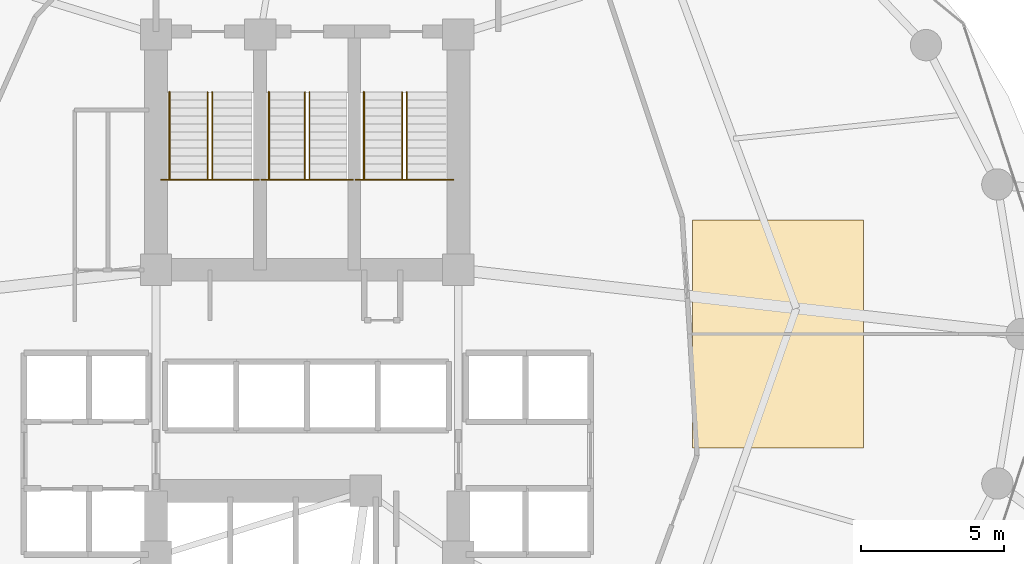
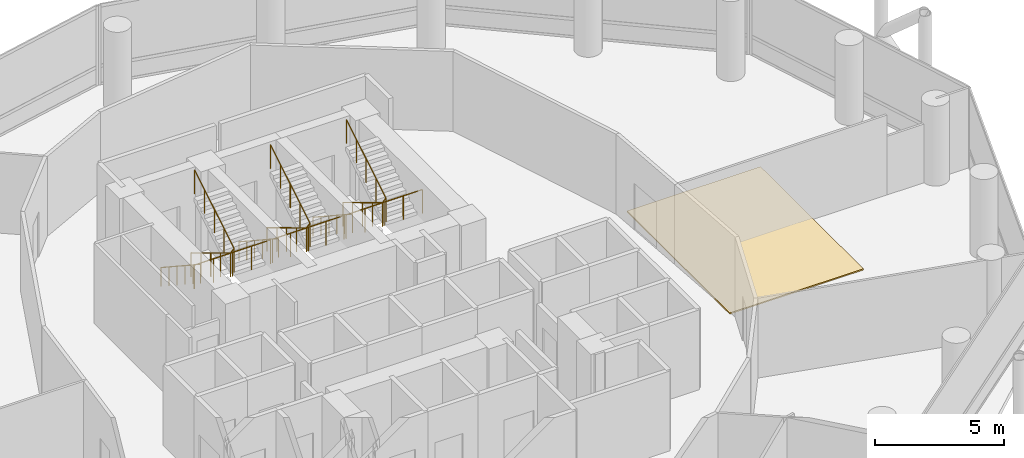
# One storey, part 24 of 24: 9 railings, 1 covering.
"""IFC4 building model written with IfcOpenShell, lengths in metres."""

from ifc_helpers import new_model, si_unit, direction, frame, origin, place, context, subcontext, project, spatial, polyline, outline, extrude, material, layer, layer_set, type_object, element, save


model = new_model("IFC4")

# Units and contexts
model_context = context("Model", 3, precision=1e-05, world=origin(), true_north=direction((0.0, 1.0)))
body_context = subcontext(model_context, "Body", "Model", "MODEL_VIEW")
ifc_project = project(units=[si_unit("LENGTHUNIT", "METRE"), si_unit("AREAUNIT", "SQUARE_METRE"), si_unit("VOLUMEUNIT", "CUBIC_METRE"), si_unit("PLANEANGLEUNIT", "RADIAN"), si_unit("MASSUNIT", "GRAM", prefix="KILO")], contexts=[model_context])

# Site, building, storey
site_placement = place(None, origin())
site = spatial("IfcSite", under=ifc_project, at=site_placement, CompositionType="ELEMENT")
building_placement = place(site_placement, origin())
building = spatial("IfcBuilding", under=site, at=building_placement, Name="Nuhasar Tower", CompositionType="ELEMENT")
storey_placement = place(building_placement, frame((0.0, 0.0, 37.199951171875)))
storey = spatial("IfcBuildingStorey", under=building, at=storey_placement, Name="L08", CompositionType="ELEMENT", Elevation=37.199951171875)

# Covering
ifc_material_1 = material(Name="Calcium Sulphate Tile", Category="gypsum")
ifc_layer = layer(ifc_material_1, 0.06005859375)
ifc_layer_set = layer_set([ifc_layer], Name="Calcium Sulphate Tile")
covering_type = type_object("IfcCoveringType", Name="COV-FLR-RAF120", PredefinedType="FLOORING", material=ifc_layer_set)
covering_placement = place(storey_placement, origin())
element("IfcCovering", 1, at=covering_placement, inside=storey, type_object=covering_type, Name="L08 Raised Access Floor Zone", PredefinedType="FLOORING", context=body_context, shape_type="SweptSolid", body=[
    extrude(outline(polyline([(52.5, 22.800048828125), (58.5, 22.800048828125), (58.5, 30.800048828125), (52.5, 30.800048828125), (52.5, 22.800048828125)])), origin(), (0.0, 0.0, 1.0), 0.06005859375),
])

# Railings
ifc_material_2 = material(Name="Steel S355", Category="steel")
railing_type_1 = type_object("IfcRailingType", Name="RLG-STAIR-GUARD-1150", PredefinedType="GUARDRAIL", material=ifc_material_2)
railing_1_placement = place(storey_placement, frame((33.8798828125, 32.205078125, 2.025146484375)))
element("IfcRailing", 2, at=railing_1_placement, inside=storey, type_object=railing_type_1, Name="L08 Stair ST-01 Guardrail LND", PredefinedType="GUARDRAIL", context=body_context, shape_type="SweptSolid", body=[
    extrude(outline(polyline([(0.024169921875, 0.0), (0.01708984375, 0.01708984375), (0.0, 0.024169921875), (-0.01708984375, 0.01708984375), (-0.024169921875, 0.0), (-0.01708984375, -0.01708984375), (0.0, -0.024169921875), (0.01708984375, -0.01708984375), (0.024169921875, 0.0)])), frame((0.0, 0.0, 1.1259765625), z_axis=(1.0, 0.0, 0.0), x_axis=(0.0, 1.0, 0.0)), (0.0, 0.0, 1.0), 3.420166015625),
    extrude(outline(polyline([(0.02099609375, 0.0), (0.014892578125, 0.014892578125), (0.0, 0.02099609375), (-0.014892578125, 0.014892578125), (-0.02099609375, 0.0), (-0.014892578125, -0.014892578125), (0.0, -0.02099609375), (0.014892578125, -0.014892578125), (0.02099609375, 0.0)])), origin(), (0.0, 0.0, 1.0), 1.101806640625),
    extrude(outline(polyline([(0.02099609375, 0.0), (0.014892578125, 0.014892578125), (0.0, 0.02099609375), (-0.014892578125, 0.014892578125), (-0.02099609375, 0.0), (-0.014892578125, -0.014892578125), (0.0, -0.02099609375), (0.014892578125, -0.014892578125), (0.02099609375, 0.0)])), frame((0.85498046875, 0.0, 0.0)), (0.0, 0.0, 1.0), 1.101806640625),
    extrude(outline(polyline([(0.02099609375, 0.0), (0.014892578125, 0.014892578125), (0.0, 0.02099609375), (-0.014892578125, 0.014892578125), (-0.02099609375, 0.0), (-0.014892578125, -0.014892578125), (0.0, -0.02099609375), (0.014892578125, -0.014892578125), (0.02099609375, 0.0)])), frame((1.7099609375, 0.0, 0.0)), (0.0, 0.0, 1.0), 1.101806640625),
    extrude(outline(polyline([(0.02099609375, 0.0), (0.014892578125, 0.014892578125), (0.0, 0.02099609375), (-0.014892578125, 0.014892578125), (-0.02099609375, 0.0), (-0.014892578125, -0.014892578125), (0.0, -0.02099609375), (0.014892578125, -0.014892578125), (0.02099609375, 0.0)])), frame((2.565185546875, 0.0, 0.0)), (0.0, 0.0, 1.0), 1.101806640625),
    extrude(outline(polyline([(0.02099609375, 0.0), (0.014892578125, 0.014892578125), (0.0, 0.02099609375), (-0.014892578125, 0.014892578125), (-0.02099609375, 0.0), (-0.014892578125, -0.014892578125), (0.0, -0.02099609375), (0.014892578125, -0.014892578125), (0.02099609375, 0.0)])), frame((3.420166015625, 0.0, 0.0)), (0.0, 0.0, 1.0), 1.101806640625),
])
railing_2_placement = place(storey_placement, frame((35.510009765625, 35.284912109375, 0.1689453125)))
element("IfcRailing", 3, at=railing_2_placement, inside=storey, type_object=railing_type_1, Name="L08 Stair ST-01 Guardrail SLT", PredefinedType="GUARDRAIL", context=body_context, shape_type="SweptSolid", body=[
    extrude(outline(polyline([(0.024169921875, 0.0), (0.01708984375, 0.01708984375), (0.0, 0.024169921875), (-0.01708984375, 0.01708984375), (-0.024169921875, 0.0), (-0.01708984375, -0.01708984375), (0.0, -0.024169921875), (0.01708984375, -0.01708984375), (0.024169921875, 0.0)])), frame((0.0, 0.0, 1.1259765625), z_axis=(0.0, -0.8564728477, 0.51619207777), x_axis=(1.0, 0.0, 0.0)), (0.0, 0.0, 1.0), 3.595947265625),
    extrude(outline(polyline([(0.024169921875, 0.0), (0.01708984375, 0.01708984375), (0.0, 0.024169921875), (-0.01708984375, 0.01708984375), (-0.024169921875, 0.0), (-0.01708984375, -0.01708984375), (0.0, -0.024169921875), (0.01708984375, -0.01708984375), (0.024169921875, 0.0)])), frame((0.0, -3.079833984375, 2.98193359375), z_axis=(0.687424367727, 0.0, 0.726255973232), x_axis=(0.0, 1.0, 0.0)), (0.0, 0.0, 1.0), 0.232666015625),
    extrude(outline(polyline([(0.024169921875, 0.0), (0.01708984375, 0.01708984375), (0.0, 0.024169921875), (-0.01708984375, 0.01708984375), (-0.024169921875, 0.0), (-0.01708984375, -0.01708984375), (0.0, -0.024169921875), (0.01708984375, -0.01708984375), (0.024169921875, 0.0)])), frame((0.159912109375, -3.079833984375, 3.15087890625), z_axis=(0.0, 0.856502863198, 0.516142272377), x_axis=(-1.0, 0.0, 0.0)), (0.0, 0.0, 1.0), 3.595703125),
    extrude(outline(polyline([(0.02099609375, 0.0), (0.014892578125, 0.014892578125), (0.0, 0.02099609375), (-0.014892578125, 0.014892578125), (-0.02099609375, 0.0), (-0.014892578125, -0.014892578125), (0.0, -0.02099609375), (0.014892578125, -0.014892578125), (0.02099609375, 0.0)])), origin(), (0.0, 0.0, 1.0), 1.101806640625),
    extrude(outline(polyline([(0.02099609375, 0.0), (0.014892578125, 0.014892578125), (0.0, 0.02099609375), (-0.014892578125, 0.014892578125), (-0.02099609375, 0.0), (-0.014892578125, -0.014892578125), (0.0, -0.02099609375), (0.014892578125, -0.014892578125), (0.02099609375, 0.0)])), frame((0.0, -0.77001953125, 0.464111328125)), (0.0, 0.0, 1.0), 1.101806640625),
    extrude(outline(polyline([(0.02099609375, 0.0), (0.014892578125, 0.014892578125), (0.0, 0.02099609375), (-0.014892578125, 0.014892578125), (-0.02099609375, 0.0), (-0.014892578125, -0.014892578125), (0.0, -0.02099609375), (0.014892578125, -0.014892578125), (0.02099609375, 0.0)])), frame((0.0, -1.5400390625, 0.92822265625)), (0.0, 0.0, 1.0), 1.101806640625),
    extrude(outline(polyline([(0.02099609375, 0.0), (0.014892578125, 0.014892578125), (0.0, 0.02099609375), (-0.014892578125, 0.014892578125), (-0.02099609375, 0.0), (-0.014892578125, -0.014892578125), (0.0, -0.02099609375), (0.014892578125, -0.014892578125), (0.02099609375, 0.0)])), frame((0.0, -2.309814453125, 1.39208984375)), (0.0, 0.0, 1.0), 1.101806640625),
    extrude(outline(polyline([(0.02099609375, 0.0), (0.014892578125, 0.014892578125), (0.0, 0.02099609375), (-0.014892578125, 0.014892578125), (-0.02099609375, 0.0), (-0.014892578125, -0.014892578125), (0.0, -0.02099609375), (0.014892578125, -0.014892578125), (0.02099609375, 0.0)])), frame((0.0, -3.079833984375, 1.856201171875)), (0.0, 0.0, 1.0), 1.101806640625),
    extrude(outline(polyline([(0.02099609375, 0.0), (0.014892578125, 0.014892578125), (0.0, 0.02099609375), (-0.014892578125, 0.014892578125), (-0.02099609375, 0.0), (-0.014892578125, -0.014892578125), (0.0, -0.02099609375), (0.014892578125, -0.014892578125), (0.02099609375, 0.0)])), frame((0.159912109375, -3.079833984375, 2.025146484375)), (0.0, 0.0, 1.0), 1.101806640625),
    extrude(outline(polyline([(0.02099609375, 0.0), (0.014892578125, 0.014892578125), (0.0, 0.02099609375), (-0.014892578125, 0.014892578125), (-0.02099609375, 0.0), (-0.014892578125, -0.014892578125), (0.0, -0.02099609375), (0.014892578125, -0.014892578125), (0.02099609375, 0.0)])), frame((0.159912109375, -2.309814453125, 2.4892578125)), (0.0, 0.0, 1.0), 1.101806640625),
    extrude(outline(polyline([(0.02099609375, 0.0), (0.014892578125, 0.014892578125), (0.0, 0.02099609375), (-0.014892578125, 0.014892578125), (-0.02099609375, 0.0), (-0.014892578125, -0.014892578125), (0.0, -0.02099609375), (0.014892578125, -0.014892578125), (0.02099609375, 0.0)])), frame((0.159912109375, -1.5400390625, 2.953125)), (0.0, 0.0, 1.0), 1.101806640625),
    extrude(outline(polyline([(0.02099609375, 0.0), (0.014892578125, 0.014892578125), (0.0, 0.02099609375), (-0.014892578125, 0.014892578125), (-0.02099609375, 0.0), (-0.014892578125, -0.014892578125), (0.0, -0.02099609375), (0.014892578125, -0.014892578125), (0.02099609375, 0.0)])), frame((0.159912109375, -0.77001953125, 3.4169921875)), (0.0, 0.0, 1.0), 1.101806640625),
    extrude(outline(polyline([(0.02099609375, 0.0), (0.014892578125, 0.014892578125), (0.0, 0.02099609375), (-0.014892578125, 0.014892578125), (-0.02099609375, 0.0), (-0.014892578125, -0.014892578125), (0.0, -0.02099609375), (0.014892578125, -0.014892578125), (0.02099609375, 0.0)])), frame((0.159912109375, 0.0, 3.881103515625)), (0.0, 0.0, 1.0), 1.101806640625),
])
railing_3_placement = place(storey_placement, frame((37.39990234375, 32.205078125, 2.025146484375)))
element("IfcRailing", 4, at=railing_3_placement, inside=storey, type_object=railing_type_1, Name="L08 Stair ST-03 Guardrail LND", PredefinedType="GUARDRAIL", context=body_context, shape_type="SweptSolid", body=[
    extrude(outline(polyline([(0.024169921875, 0.0), (0.01708984375, 0.01708984375), (0.0, 0.024169921875), (-0.01708984375, 0.01708984375), (-0.024169921875, 0.0), (-0.01708984375, -0.01708984375), (0.0, -0.024169921875), (0.01708984375, -0.01708984375), (0.024169921875, 0.0)])), frame((0.0, 0.0, 1.1259765625), z_axis=(1.0, 0.0, 0.0), x_axis=(0.0, 1.0, 0.0)), (0.0, 0.0, 1.0), 3.2001953125),
    extrude(outline(polyline([(0.02099609375, 0.0), (0.014892578125, 0.014892578125), (0.0, 0.02099609375), (-0.014892578125, 0.014892578125), (-0.02099609375, 0.0), (-0.014892578125, -0.014892578125), (0.0, -0.02099609375), (0.014892578125, -0.014892578125), (0.02099609375, 0.0)])), origin(), (0.0, 0.0, 1.0), 1.101806640625),
    extrude(outline(polyline([(0.02099609375, 0.0), (0.014892578125, 0.014892578125), (0.0, 0.02099609375), (-0.014892578125, 0.014892578125), (-0.02099609375, 0.0), (-0.014892578125, -0.014892578125), (0.0, -0.02099609375), (0.014892578125, -0.014892578125), (0.02099609375, 0.0)])), frame((0.800048828125, 0.0, 0.0)), (0.0, 0.0, 1.0), 1.101806640625),
    extrude(outline(polyline([(0.02099609375, 0.0), (0.014892578125, 0.014892578125), (0.0, 0.02099609375), (-0.014892578125, 0.014892578125), (-0.02099609375, 0.0), (-0.014892578125, -0.014892578125), (0.0, -0.02099609375), (0.014892578125, -0.014892578125), (0.02099609375, 0.0)])), frame((1.60009765625, 0.0, 0.0)), (0.0, 0.0, 1.0), 1.101806640625),
    extrude(outline(polyline([(0.02099609375, 0.0), (0.014892578125, 0.014892578125), (0.0, 0.02099609375), (-0.014892578125, 0.014892578125), (-0.02099609375, 0.0), (-0.014892578125, -0.014892578125), (0.0, -0.02099609375), (0.014892578125, -0.014892578125), (0.02099609375, 0.0)])), frame((2.400146484375, 0.0, 0.0)), (0.0, 0.0, 1.0), 1.101806640625),
    extrude(outline(polyline([(0.02099609375, 0.0), (0.014892578125, 0.014892578125), (0.0, 0.02099609375), (-0.014892578125, 0.014892578125), (-0.02099609375, 0.0), (-0.014892578125, -0.014892578125), (0.0, -0.02099609375), (0.014892578125, -0.014892578125), (0.02099609375, 0.0)])), frame((3.2001953125, 0.0, 0.0)), (0.0, 0.0, 1.0), 1.101806640625),
])
railing_4_placement = place(storey_placement, frame((38.919921875, 35.284912109375, 0.1689453125)))
element("IfcRailing", 5, at=railing_4_placement, inside=storey, type_object=railing_type_1, Name="L08 Stair ST-03 Guardrail SLT", PredefinedType="GUARDRAIL", context=body_context, shape_type="SweptSolid", body=[
    extrude(outline(polyline([(0.024169921875, 0.0), (0.01708984375, 0.01708984375), (0.0, 0.024169921875), (-0.01708984375, 0.01708984375), (-0.024169921875, 0.0), (-0.01708984375, -0.01708984375), (0.0, -0.024169921875), (0.01708984375, -0.01708984375), (0.024169921875, 0.0)])), frame((0.0, 0.0, 1.1259765625), z_axis=(0.0, -0.8564728477, 0.51619207777), x_axis=(1.0, 0.0, 0.0)), (0.0, 0.0, 1.0), 3.595947265625),
    extrude(outline(polyline([(0.024169921875, 0.0), (0.01708984375, 0.01708984375), (0.0, 0.024169921875), (-0.01708984375, 0.01708984375), (-0.024169921875, 0.0), (-0.01708984375, -0.01708984375), (0.0, -0.024169921875), (0.01708984375, -0.01708984375), (0.024169921875, 0.0)])), frame((0.0, -3.079833984375, 2.98193359375), z_axis=(0.687977326998, 0.0, 0.725732180309), x_axis=(0.0, 1.0, 0.0)), (0.0, 0.0, 1.0), 0.23291015625),
    extrude(outline(polyline([(0.024169921875, 0.0), (0.01708984375, 0.01708984375), (0.0, 0.024169921875), (-0.01708984375, 0.01708984375), (-0.024169921875, 0.0), (-0.01708984375, -0.01708984375), (0.0, -0.024169921875), (0.01708984375, -0.01708984375), (0.024169921875, 0.0)])), frame((0.16015625, -3.079833984375, 3.15087890625), z_axis=(0.0, 0.856502863198, 0.516142272377), x_axis=(-1.0, 0.0, 0.0)), (0.0, 0.0, 1.0), 3.595703125),
    extrude(outline(polyline([(0.02099609375, 0.0), (0.014892578125, 0.014892578125), (0.0, 0.02099609375), (-0.014892578125, 0.014892578125), (-0.02099609375, 0.0), (-0.014892578125, -0.014892578125), (0.0, -0.02099609375), (0.014892578125, -0.014892578125), (0.02099609375, 0.0)])), origin(), (0.0, 0.0, 1.0), 1.101806640625),
    extrude(outline(polyline([(0.02099609375, 0.0), (0.014892578125, 0.014892578125), (0.0, 0.02099609375), (-0.014892578125, 0.014892578125), (-0.02099609375, 0.0), (-0.014892578125, -0.014892578125), (0.0, -0.02099609375), (0.014892578125, -0.014892578125), (0.02099609375, 0.0)])), frame((0.0, -0.77001953125, 0.464111328125)), (0.0, 0.0, 1.0), 1.101806640625),
    extrude(outline(polyline([(0.02099609375, 0.0), (0.014892578125, 0.014892578125), (0.0, 0.02099609375), (-0.014892578125, 0.014892578125), (-0.02099609375, 0.0), (-0.014892578125, -0.014892578125), (0.0, -0.02099609375), (0.014892578125, -0.014892578125), (0.02099609375, 0.0)])), frame((0.0, -1.5400390625, 0.92822265625)), (0.0, 0.0, 1.0), 1.101806640625),
    extrude(outline(polyline([(0.02099609375, 0.0), (0.014892578125, 0.014892578125), (0.0, 0.02099609375), (-0.014892578125, 0.014892578125), (-0.02099609375, 0.0), (-0.014892578125, -0.014892578125), (0.0, -0.02099609375), (0.014892578125, -0.014892578125), (0.02099609375, 0.0)])), frame((0.0, -2.309814453125, 1.39208984375)), (0.0, 0.0, 1.0), 1.101806640625),
    extrude(outline(polyline([(0.02099609375, 0.0), (0.014892578125, 0.014892578125), (0.0, 0.02099609375), (-0.014892578125, 0.014892578125), (-0.02099609375, 0.0), (-0.014892578125, -0.014892578125), (0.0, -0.02099609375), (0.014892578125, -0.014892578125), (0.02099609375, 0.0)])), frame((0.0, -3.079833984375, 1.856201171875)), (0.0, 0.0, 1.0), 1.101806640625),
    extrude(outline(polyline([(0.02099609375, 0.0), (0.014892578125, 0.014892578125), (0.0, 0.02099609375), (-0.014892578125, 0.014892578125), (-0.02099609375, 0.0), (-0.014892578125, -0.014892578125), (0.0, -0.02099609375), (0.014892578125, -0.014892578125), (0.02099609375, 0.0)])), frame((0.16015625, -3.079833984375, 2.025146484375)), (0.0, 0.0, 1.0), 1.101806640625),
    extrude(outline(polyline([(0.02099609375, 0.0), (0.014892578125, 0.014892578125), (0.0, 0.02099609375), (-0.014892578125, 0.014892578125), (-0.02099609375, 0.0), (-0.014892578125, -0.014892578125), (0.0, -0.02099609375), (0.014892578125, -0.014892578125), (0.02099609375, 0.0)])), frame((0.16015625, -2.309814453125, 2.4892578125)), (0.0, 0.0, 1.0), 1.101806640625),
    extrude(outline(polyline([(0.02099609375, 0.0), (0.014892578125, 0.014892578125), (0.0, 0.02099609375), (-0.014892578125, 0.014892578125), (-0.02099609375, 0.0), (-0.014892578125, -0.014892578125), (0.0, -0.02099609375), (0.014892578125, -0.014892578125), (0.02099609375, 0.0)])), frame((0.16015625, -1.5400390625, 2.953125)), (0.0, 0.0, 1.0), 1.101806640625),
    extrude(outline(polyline([(0.02099609375, 0.0), (0.014892578125, 0.014892578125), (0.0, 0.02099609375), (-0.014892578125, 0.014892578125), (-0.02099609375, 0.0), (-0.014892578125, -0.014892578125), (0.0, -0.02099609375), (0.014892578125, -0.014892578125), (0.02099609375, 0.0)])), frame((0.16015625, -0.77001953125, 3.4169921875)), (0.0, 0.0, 1.0), 1.101806640625),
    extrude(outline(polyline([(0.02099609375, 0.0), (0.014892578125, 0.014892578125), (0.0, 0.02099609375), (-0.014892578125, 0.014892578125), (-0.02099609375, 0.0), (-0.014892578125, -0.014892578125), (0.0, -0.02099609375), (0.014892578125, -0.014892578125), (0.02099609375, 0.0)])), frame((0.16015625, 0.0, 3.881103515625)), (0.0, 0.0, 1.0), 1.101806640625),
])
railing_5_placement = place(storey_placement, frame((40.699951171875, 32.205078125, 2.025146484375)))
element("IfcRailing", 6, at=railing_5_placement, inside=storey, type_object=railing_type_1, Name="L08 Stair ST-02 Guardrail LND", PredefinedType="GUARDRAIL", context=body_context, shape_type="SweptSolid", body=[
    extrude(outline(polyline([(0.024169921875, 0.0), (0.01708984375, 0.01708984375), (0.0, 0.024169921875), (-0.01708984375, 0.01708984375), (-0.024169921875, 0.0), (-0.01708984375, -0.01708984375), (0.0, -0.024169921875), (0.01708984375, -0.01708984375), (0.024169921875, 0.0)])), frame((0.0, 0.0, 1.1259765625), z_axis=(1.0, 0.0, 0.0), x_axis=(0.0, 1.0, 0.0)), (0.0, 0.0, 1.0), 3.420166015625),
    extrude(outline(polyline([(0.02099609375, 0.0), (0.014892578125, 0.014892578125), (0.0, 0.02099609375), (-0.014892578125, 0.014892578125), (-0.02099609375, 0.0), (-0.014892578125, -0.014892578125), (0.0, -0.02099609375), (0.014892578125, -0.014892578125), (0.02099609375, 0.0)])), origin(), (0.0, 0.0, 1.0), 1.101806640625),
    extrude(outline(polyline([(0.02099609375, 0.0), (0.014892578125, 0.014892578125), (0.0, 0.02099609375), (-0.014892578125, 0.014892578125), (-0.02099609375, 0.0), (-0.014892578125, -0.014892578125), (0.0, -0.02099609375), (0.014892578125, -0.014892578125), (0.02099609375, 0.0)])), frame((0.85498046875, 0.0, 0.0)), (0.0, 0.0, 1.0), 1.101806640625),
    extrude(outline(polyline([(0.02099609375, 0.0), (0.014892578125, 0.014892578125), (0.0, 0.02099609375), (-0.014892578125, 0.014892578125), (-0.02099609375, 0.0), (-0.014892578125, -0.014892578125), (0.0, -0.02099609375), (0.014892578125, -0.014892578125), (0.02099609375, 0.0)])), frame((1.7099609375, 0.0, 0.0)), (0.0, 0.0, 1.0), 1.101806640625),
    extrude(outline(polyline([(0.02099609375, 0.0), (0.014892578125, 0.014892578125), (0.0, 0.02099609375), (-0.014892578125, 0.014892578125), (-0.02099609375, 0.0), (-0.014892578125, -0.014892578125), (0.0, -0.02099609375), (0.014892578125, -0.014892578125), (0.02099609375, 0.0)])), frame((2.565185546875, 0.0, 0.0)), (0.0, 0.0, 1.0), 1.101806640625),
    extrude(outline(polyline([(0.02099609375, 0.0), (0.014892578125, 0.014892578125), (0.0, 0.02099609375), (-0.014892578125, 0.014892578125), (-0.02099609375, 0.0), (-0.014892578125, -0.014892578125), (0.0, -0.02099609375), (0.014892578125, -0.014892578125), (0.02099609375, 0.0)])), frame((3.420166015625, 0.0, 0.0)), (0.0, 0.0, 1.0), 1.101806640625),
])
railing_6_placement = place(storey_placement, frame((42.330078125, 35.284912109375, 0.1689453125)))
element("IfcRailing", 7, at=railing_6_placement, inside=storey, type_object=railing_type_1, Name="L08 Stair ST-02 Guardrail SLT", PredefinedType="GUARDRAIL", context=body_context, shape_type="SweptSolid", body=[
    extrude(outline(polyline([(0.024169921875, 0.0), (0.01708984375, 0.01708984375), (0.0, 0.024169921875), (-0.01708984375, 0.01708984375), (-0.024169921875, 0.0), (-0.01708984375, -0.01708984375), (0.0, -0.024169921875), (0.01708984375, -0.01708984375), (0.024169921875, 0.0)])), frame((0.0, 0.0, 1.1259765625), z_axis=(0.0, -0.8564728477, 0.51619207777), x_axis=(1.0, 0.0, 0.0)), (0.0, 0.0, 1.0), 3.595947265625),
    extrude(outline(polyline([(0.024169921875, 0.0), (0.01708984375, 0.01708984375), (0.0, 0.024169921875), (-0.01708984375, 0.01708984375), (-0.024169921875, 0.0), (-0.01708984375, -0.01708984375), (0.0, -0.024169921875), (0.01708984375, -0.01708984375), (0.024169921875, 0.0)])), frame((0.0, -3.079833984375, 2.98193359375), z_axis=(0.687424367727, 0.0, 0.726255973232), x_axis=(0.0, 1.0, 0.0)), (0.0, 0.0, 1.0), 0.232666015625),
    extrude(outline(polyline([(0.024169921875, 0.0), (0.01708984375, 0.01708984375), (0.0, 0.024169921875), (-0.01708984375, 0.01708984375), (-0.024169921875, 0.0), (-0.01708984375, -0.01708984375), (0.0, -0.024169921875), (0.01708984375, -0.01708984375), (0.024169921875, 0.0)])), frame((0.159912109375, -3.079833984375, 3.15087890625), z_axis=(0.0, 0.856502863198, 0.516142272377), x_axis=(-1.0, 0.0, 0.0)), (0.0, 0.0, 1.0), 3.595703125),
    extrude(outline(polyline([(0.02099609375, 0.0), (0.014892578125, 0.014892578125), (0.0, 0.02099609375), (-0.014892578125, 0.014892578125), (-0.02099609375, 0.0), (-0.014892578125, -0.014892578125), (0.0, -0.02099609375), (0.014892578125, -0.014892578125), (0.02099609375, 0.0)])), origin(), (0.0, 0.0, 1.0), 1.101806640625),
    extrude(outline(polyline([(0.02099609375, 0.0), (0.014892578125, 0.014892578125), (0.0, 0.02099609375), (-0.014892578125, 0.014892578125), (-0.02099609375, 0.0), (-0.014892578125, -0.014892578125), (0.0, -0.02099609375), (0.014892578125, -0.014892578125), (0.02099609375, 0.0)])), frame((0.0, -0.77001953125, 0.464111328125)), (0.0, 0.0, 1.0), 1.101806640625),
    extrude(outline(polyline([(0.02099609375, 0.0), (0.014892578125, 0.014892578125), (0.0, 0.02099609375), (-0.014892578125, 0.014892578125), (-0.02099609375, 0.0), (-0.014892578125, -0.014892578125), (0.0, -0.02099609375), (0.014892578125, -0.014892578125), (0.02099609375, 0.0)])), frame((0.0, -1.5400390625, 0.92822265625)), (0.0, 0.0, 1.0), 1.101806640625),
    extrude(outline(polyline([(0.02099609375, 0.0), (0.014892578125, 0.014892578125), (0.0, 0.02099609375), (-0.014892578125, 0.014892578125), (-0.02099609375, 0.0), (-0.014892578125, -0.014892578125), (0.0, -0.02099609375), (0.014892578125, -0.014892578125), (0.02099609375, 0.0)])), frame((0.0, -2.309814453125, 1.39208984375)), (0.0, 0.0, 1.0), 1.101806640625),
    extrude(outline(polyline([(0.02099609375, 0.0), (0.014892578125, 0.014892578125), (0.0, 0.02099609375), (-0.014892578125, 0.014892578125), (-0.02099609375, 0.0), (-0.014892578125, -0.014892578125), (0.0, -0.02099609375), (0.014892578125, -0.014892578125), (0.02099609375, 0.0)])), frame((0.0, -3.079833984375, 1.856201171875)), (0.0, 0.0, 1.0), 1.101806640625),
    extrude(outline(polyline([(0.02099609375, 0.0), (0.014892578125, 0.014892578125), (0.0, 0.02099609375), (-0.014892578125, 0.014892578125), (-0.02099609375, 0.0), (-0.014892578125, -0.014892578125), (0.0, -0.02099609375), (0.014892578125, -0.014892578125), (0.02099609375, 0.0)])), frame((0.159912109375, -3.079833984375, 2.025146484375)), (0.0, 0.0, 1.0), 1.101806640625),
    extrude(outline(polyline([(0.02099609375, 0.0), (0.014892578125, 0.014892578125), (0.0, 0.02099609375), (-0.014892578125, 0.014892578125), (-0.02099609375, 0.0), (-0.014892578125, -0.014892578125), (0.0, -0.02099609375), (0.014892578125, -0.014892578125), (0.02099609375, 0.0)])), frame((0.159912109375, -2.309814453125, 2.4892578125)), (0.0, 0.0, 1.0), 1.101806640625),
    extrude(outline(polyline([(0.02099609375, 0.0), (0.014892578125, 0.014892578125), (0.0, 0.02099609375), (-0.014892578125, 0.014892578125), (-0.02099609375, 0.0), (-0.014892578125, -0.014892578125), (0.0, -0.02099609375), (0.014892578125, -0.014892578125), (0.02099609375, 0.0)])), frame((0.159912109375, -1.5400390625, 2.953125)), (0.0, 0.0, 1.0), 1.101806640625),
    extrude(outline(polyline([(0.02099609375, 0.0), (0.014892578125, 0.014892578125), (0.0, 0.02099609375), (-0.014892578125, 0.014892578125), (-0.02099609375, 0.0), (-0.014892578125, -0.014892578125), (0.0, -0.02099609375), (0.014892578125, -0.014892578125), (0.02099609375, 0.0)])), frame((0.159912109375, -0.77001953125, 3.4169921875)), (0.0, 0.0, 1.0), 1.101806640625),
    extrude(outline(polyline([(0.02099609375, 0.0), (0.014892578125, 0.014892578125), (0.0, 0.02099609375), (-0.014892578125, 0.014892578125), (-0.02099609375, 0.0), (-0.014892578125, -0.014892578125), (0.0, -0.02099609375), (0.014892578125, -0.014892578125), (0.02099609375, 0.0)])), frame((0.159912109375, 0.0, 3.881103515625)), (0.0, 0.0, 1.0), 1.101806640625),
])
ifc_material_3 = material(Name="Stainless Steel 316L", Category="steel")
railing_type_2 = type_object("IfcRailingType", Name="RLG-STAIR-HAND-920", PredefinedType="HANDRAIL", material=ifc_material_3)
railing_7_placement = place(storey_placement, frame((34.169921875, 35.284912109375, 0.1689453125)))
element("IfcRailing", 8, at=railing_7_placement, inside=storey, type_object=railing_type_2, Name="L08 Stair ST-01 Handrail HND1", PredefinedType="HANDRAIL", context=body_context, shape_type="SweptSolid", body=[
    extrude(outline(polyline([(0.024169921875, 0.0), (0.01708984375, 0.01708984375), (0.0, 0.024169921875), (-0.01708984375, 0.01708984375), (-0.024169921875, 0.0), (-0.01708984375, -0.01708984375), (0.0, -0.024169921875), (0.01708984375, -0.01708984375), (0.024169921875, 0.0)])), frame((0.0, 0.0, 0.89599609375), z_axis=(0.0, -0.835549111106, 0.549415765091), x_axis=(1.0, 0.0, 0.0)), (0.0, 0.0, 1.0), 3.68603515625),
    extrude(outline(polyline([(0.02099609375, 0.0), (0.014892578125, 0.014892578125), (0.0, 0.02099609375), (-0.014892578125, 0.014892578125), (-0.02099609375, 0.0), (-0.014892578125, -0.014892578125), (0.0, -0.02099609375), (0.014892578125, -0.014892578125), (0.02099609375, 0.0)])), origin(), (0.0, 0.0, 1.0), 0.871826171875),
    extrude(outline(polyline([(0.02099609375, 0.0), (0.014892578125, 0.014892578125), (0.0, 0.02099609375), (-0.014892578125, 0.014892578125), (-0.02099609375, 0.0), (-0.014892578125, -0.014892578125), (0.0, -0.02099609375), (0.014892578125, -0.014892578125), (0.02099609375, 0.0)])), frame((0.0, -0.615966796875, 0.405029296875)), (0.0, 0.0, 1.0), 0.871826171875),
    extrude(outline(polyline([(0.02099609375, 0.0), (0.014892578125, 0.014892578125), (0.0, 0.02099609375), (-0.014892578125, 0.014892578125), (-0.02099609375, 0.0), (-0.014892578125, -0.014892578125), (0.0, -0.02099609375), (0.014892578125, -0.014892578125), (0.02099609375, 0.0)])), frame((0.0, -1.23193359375, 0.81005859375)), (0.0, 0.0, 1.0), 0.871826171875),
    extrude(outline(polyline([(0.02099609375, 0.0), (0.014892578125, 0.014892578125), (0.0, 0.02099609375), (-0.014892578125, 0.014892578125), (-0.02099609375, 0.0), (-0.014892578125, -0.014892578125), (0.0, -0.02099609375), (0.014892578125, -0.014892578125), (0.02099609375, 0.0)])), frame((0.0, -1.847900390625, 1.215087890625)), (0.0, 0.0, 1.0), 0.871826171875),
    extrude(outline(polyline([(0.02099609375, 0.0), (0.014892578125, 0.014892578125), (0.0, 0.02099609375), (-0.014892578125, 0.014892578125), (-0.02099609375, 0.0), (-0.014892578125, -0.014892578125), (0.0, -0.02099609375), (0.014892578125, -0.014892578125), (0.02099609375, 0.0)])), frame((0.0, -2.4638671875, 1.6201171875)), (0.0, 0.0, 1.0), 0.871826171875),
    extrude(outline(polyline([(0.02099609375, 0.0), (0.014892578125, 0.014892578125), (0.0, 0.02099609375), (-0.014892578125, 0.014892578125), (-0.02099609375, 0.0), (-0.014892578125, -0.014892578125), (0.0, -0.02099609375), (0.014892578125, -0.014892578125), (0.02099609375, 0.0)])), frame((0.0, -3.079833984375, 2.025146484375)), (0.0, 0.0, 1.0), 0.871826171875),
])
railing_8_placement = place(storey_placement, frame((37.659912109375, 35.284912109375, 0.1689453125)))
element("IfcRailing", 9, at=railing_8_placement, inside=storey, type_object=railing_type_2, Name="L08 Stair ST-03 Handrail HND1", PredefinedType="HANDRAIL", context=body_context, shape_type="SweptSolid", body=[
    extrude(outline(polyline([(0.024169921875, 0.0), (0.01708984375, 0.01708984375), (0.0, 0.024169921875), (-0.01708984375, 0.01708984375), (-0.024169921875, 0.0), (-0.01708984375, -0.01708984375), (0.0, -0.024169921875), (0.01708984375, -0.01708984375), (0.024169921875, 0.0)])), frame((0.0, 0.0, 0.89599609375), z_axis=(0.0, -0.835549111106, 0.549415765091), x_axis=(1.0, 0.0, 0.0)), (0.0, 0.0, 1.0), 3.68603515625),
    extrude(outline(polyline([(0.02099609375, 0.0), (0.014892578125, 0.014892578125), (0.0, 0.02099609375), (-0.014892578125, 0.014892578125), (-0.02099609375, 0.0), (-0.014892578125, -0.014892578125), (0.0, -0.02099609375), (0.014892578125, -0.014892578125), (0.02099609375, 0.0)])), origin(), (0.0, 0.0, 1.0), 0.871826171875),
    extrude(outline(polyline([(0.02099609375, 0.0), (0.014892578125, 0.014892578125), (0.0, 0.02099609375), (-0.014892578125, 0.014892578125), (-0.02099609375, 0.0), (-0.014892578125, -0.014892578125), (0.0, -0.02099609375), (0.014892578125, -0.014892578125), (0.02099609375, 0.0)])), frame((0.0, -0.615966796875, 0.405029296875)), (0.0, 0.0, 1.0), 0.871826171875),
    extrude(outline(polyline([(0.02099609375, 0.0), (0.014892578125, 0.014892578125), (0.0, 0.02099609375), (-0.014892578125, 0.014892578125), (-0.02099609375, 0.0), (-0.014892578125, -0.014892578125), (0.0, -0.02099609375), (0.014892578125, -0.014892578125), (0.02099609375, 0.0)])), frame((0.0, -1.23193359375, 0.81005859375)), (0.0, 0.0, 1.0), 0.871826171875),
    extrude(outline(polyline([(0.02099609375, 0.0), (0.014892578125, 0.014892578125), (0.0, 0.02099609375), (-0.014892578125, 0.014892578125), (-0.02099609375, 0.0), (-0.014892578125, -0.014892578125), (0.0, -0.02099609375), (0.014892578125, -0.014892578125), (0.02099609375, 0.0)])), frame((0.0, -1.847900390625, 1.215087890625)), (0.0, 0.0, 1.0), 0.871826171875),
    extrude(outline(polyline([(0.02099609375, 0.0), (0.014892578125, 0.014892578125), (0.0, 0.02099609375), (-0.014892578125, 0.014892578125), (-0.02099609375, 0.0), (-0.014892578125, -0.014892578125), (0.0, -0.02099609375), (0.014892578125, -0.014892578125), (0.02099609375, 0.0)])), frame((0.0, -2.4638671875, 1.6201171875)), (0.0, 0.0, 1.0), 0.871826171875),
    extrude(outline(polyline([(0.02099609375, 0.0), (0.014892578125, 0.014892578125), (0.0, 0.02099609375), (-0.014892578125, 0.014892578125), (-0.02099609375, 0.0), (-0.014892578125, -0.014892578125), (0.0, -0.02099609375), (0.014892578125, -0.014892578125), (0.02099609375, 0.0)])), frame((0.0, -3.079833984375, 2.025146484375)), (0.0, 0.0, 1.0), 0.871826171875),
])
railing_9_placement = place(storey_placement, frame((40.989990234375, 35.284912109375, 0.1689453125)))
element("IfcRailing", 10, at=railing_9_placement, inside=storey, type_object=railing_type_2, Name="L08 Stair ST-02 Handrail HND1", PredefinedType="HANDRAIL", context=body_context, shape_type="SweptSolid", body=[
    extrude(outline(polyline([(0.024169921875, 0.0), (0.01708984375, 0.01708984375), (0.0, 0.024169921875), (-0.01708984375, 0.01708984375), (-0.024169921875, 0.0), (-0.01708984375, -0.01708984375), (0.0, -0.024169921875), (0.01708984375, -0.01708984375), (0.024169921875, 0.0)])), frame((0.0, 0.0, 0.89599609375), z_axis=(0.0, -0.835549111106, 0.549415765091), x_axis=(1.0, 0.0, 0.0)), (0.0, 0.0, 1.0), 3.68603515625),
    extrude(outline(polyline([(0.02099609375, 0.0), (0.014892578125, 0.014892578125), (0.0, 0.02099609375), (-0.014892578125, 0.014892578125), (-0.02099609375, 0.0), (-0.014892578125, -0.014892578125), (0.0, -0.02099609375), (0.014892578125, -0.014892578125), (0.02099609375, 0.0)])), origin(), (0.0, 0.0, 1.0), 0.871826171875),
    extrude(outline(polyline([(0.02099609375, 0.0), (0.014892578125, 0.014892578125), (0.0, 0.02099609375), (-0.014892578125, 0.014892578125), (-0.02099609375, 0.0), (-0.014892578125, -0.014892578125), (0.0, -0.02099609375), (0.014892578125, -0.014892578125), (0.02099609375, 0.0)])), frame((0.0, -0.615966796875, 0.405029296875)), (0.0, 0.0, 1.0), 0.871826171875),
    extrude(outline(polyline([(0.02099609375, 0.0), (0.014892578125, 0.014892578125), (0.0, 0.02099609375), (-0.014892578125, 0.014892578125), (-0.02099609375, 0.0), (-0.014892578125, -0.014892578125), (0.0, -0.02099609375), (0.014892578125, -0.014892578125), (0.02099609375, 0.0)])), frame((0.0, -1.23193359375, 0.81005859375)), (0.0, 0.0, 1.0), 0.871826171875),
    extrude(outline(polyline([(0.02099609375, 0.0), (0.014892578125, 0.014892578125), (0.0, 0.02099609375), (-0.014892578125, 0.014892578125), (-0.02099609375, 0.0), (-0.014892578125, -0.014892578125), (0.0, -0.02099609375), (0.014892578125, -0.014892578125), (0.02099609375, 0.0)])), frame((0.0, -1.847900390625, 1.215087890625)), (0.0, 0.0, 1.0), 0.871826171875),
    extrude(outline(polyline([(0.02099609375, 0.0), (0.014892578125, 0.014892578125), (0.0, 0.02099609375), (-0.014892578125, 0.014892578125), (-0.02099609375, 0.0), (-0.014892578125, -0.014892578125), (0.0, -0.02099609375), (0.014892578125, -0.014892578125), (0.02099609375, 0.0)])), frame((0.0, -2.4638671875, 1.6201171875)), (0.0, 0.0, 1.0), 0.871826171875),
    extrude(outline(polyline([(0.02099609375, 0.0), (0.014892578125, 0.014892578125), (0.0, 0.02099609375), (-0.014892578125, 0.014892578125), (-0.02099609375, 0.0), (-0.014892578125, -0.014892578125), (0.0, -0.02099609375), (0.014892578125, -0.014892578125), (0.02099609375, 0.0)])), frame((0.0, -3.079833984375, 2.025146484375)), (0.0, 0.0, 1.0), 0.871826171875),
])

save(model, "model.ifc")
